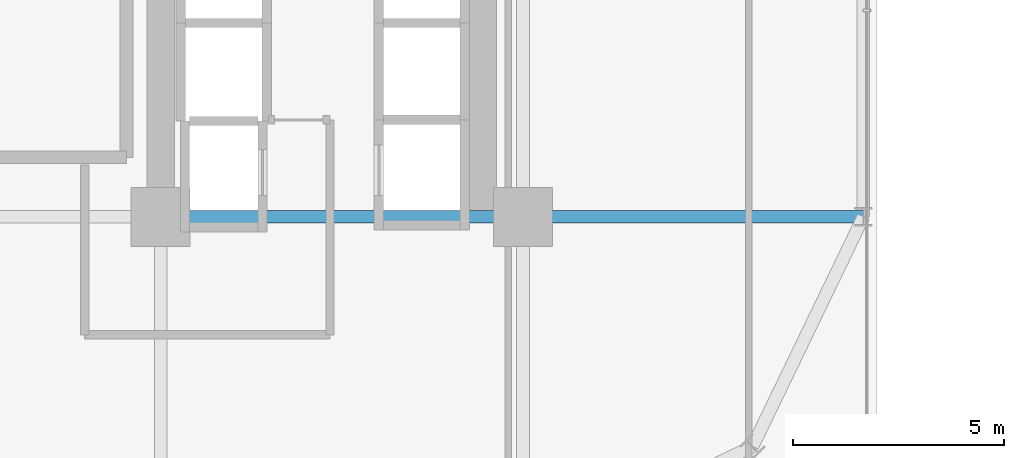
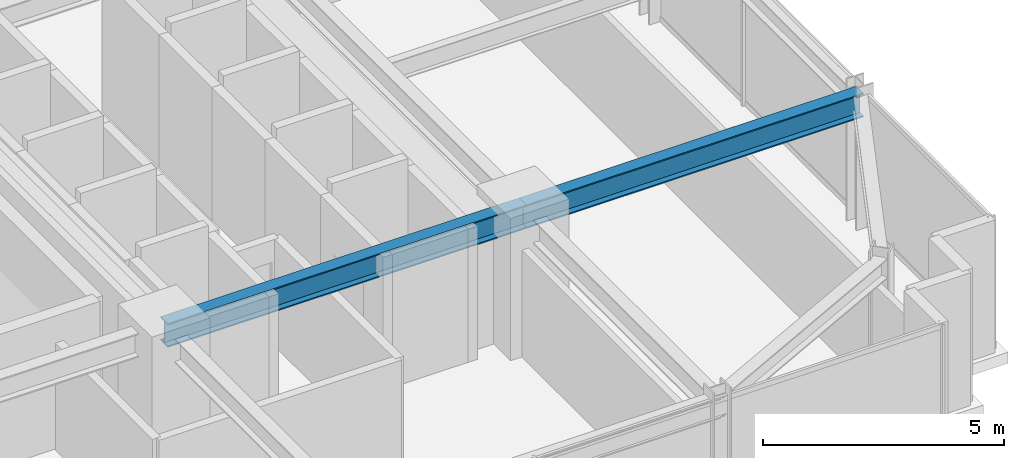
# One storey, part 13 of 36: 2 beams.
"""IFC4 building model written with IfcOpenShell, lengths in metres."""

from ifc_helpers import new_model, si_unit, direction, frame, origin, origin_2d, place, context, subcontext, project, spatial, i_section, extrude, source, transform, mapped, material, material_profile, profile_set, type_object, element, save


model = new_model("IFC4")

# Units and contexts
model_context = context("Model", 3, precision=1e-05, world=origin(), true_north=direction((0.0, 1.0)))
body_context = subcontext(model_context, "Body", "Model", "MODEL_VIEW")
ifc_project = project(units=[si_unit("LENGTHUNIT", "METRE"), si_unit("AREAUNIT", "SQUARE_METRE"), si_unit("VOLUMEUNIT", "CUBIC_METRE"), si_unit("PLANEANGLEUNIT", "RADIAN"), si_unit("MASSUNIT", "GRAM", prefix="KILO")], contexts=[model_context])

# Site, building, storey
site_placement = place(None, origin())
site = spatial("IfcSite", under=ifc_project, at=site_placement, CompositionType="ELEMENT")
building_placement = place(site_placement, origin())
building = spatial("IfcBuilding", under=site, at=building_placement, Name="Nahalor Promenade Grand Hotel", CompositionType="ELEMENT")
storey_placement = place(building_placement, frame((0.0, 0.0, 72.550048828125)))
storey = spatial("IfcBuildingStorey", under=building, at=storey_placement, Name="L17", CompositionType="ELEMENT", Elevation=72.550048828125)

# Beams
ifc_material = material(Name="Steel S355JR", Category="steel")
ifc_material_profile = material_profile(ifc_material, i_section(OverallWidth=0.3, OverallDepth=0.6, WebThickness=0.0155, FlangeThickness=0.03, at=origin_2d()), Name="HEB 600")
ifc_profile_set = profile_set([ifc_material_profile], Name="Steel S355JR")
beam_type = type_object("IfcBeamType", Name="Beam-Girder-HEB600", PredefinedType="BEAM", material=ifc_profile_set)
shared_shape_1 = source(origin(), body_context, "Body", "SweptSolid", [
    extrude(i_section(OverallWidth=0.3, OverallDepth=0.6, WebThickness=0.0155, FlangeThickness=0.03, at=origin_2d()), origin(), (0.0, 0.0, 1.0), 8.60009765625),
])
beam_1_placement = place(storey_placement, frame((8.39990234375, -17.0, 3.070068359375), z_axis=(1.0, 0.0, 0.0), x_axis=(0.0, 1.0, 0.0)))
element("IfcBeam", 1, at=beam_1_placement, inside=storey, type_object=beam_type, Name="BM-L17-GX-0-5", PredefinedType="BEAM", context=body_context, shape_type="MappedRepresentation", body=[
    mapped(shared_shape_1, transform((0.0, 0.0, 0.0), scale=1.0)),
])
shared_shape_2 = source(origin(), body_context, "Body", "SweptSolid", [
    extrude(i_section(OverallWidth=0.3, OverallDepth=0.6, WebThickness=0.0155, FlangeThickness=0.03, at=origin_2d()), origin(), (0.0, 0.0, 1.0), 8.080078125),
])
beam_2_placement = place(storey_placement, frame((17.0, -17.0, 3.070068359375), z_axis=(1.0, 0.0, 0.0), x_axis=(0.0, 1.0, 0.0)))
element("IfcBeam", 2, at=beam_2_placement, inside=storey, type_object=beam_type, Name="BM-L17-GX-0-6", PredefinedType="BEAM", context=body_context, shape_type="MappedRepresentation", body=[
    mapped(shared_shape_2, transform((0.0, 0.0, 0.0), scale=1.0)),
])

save(model, "model.ifc")
